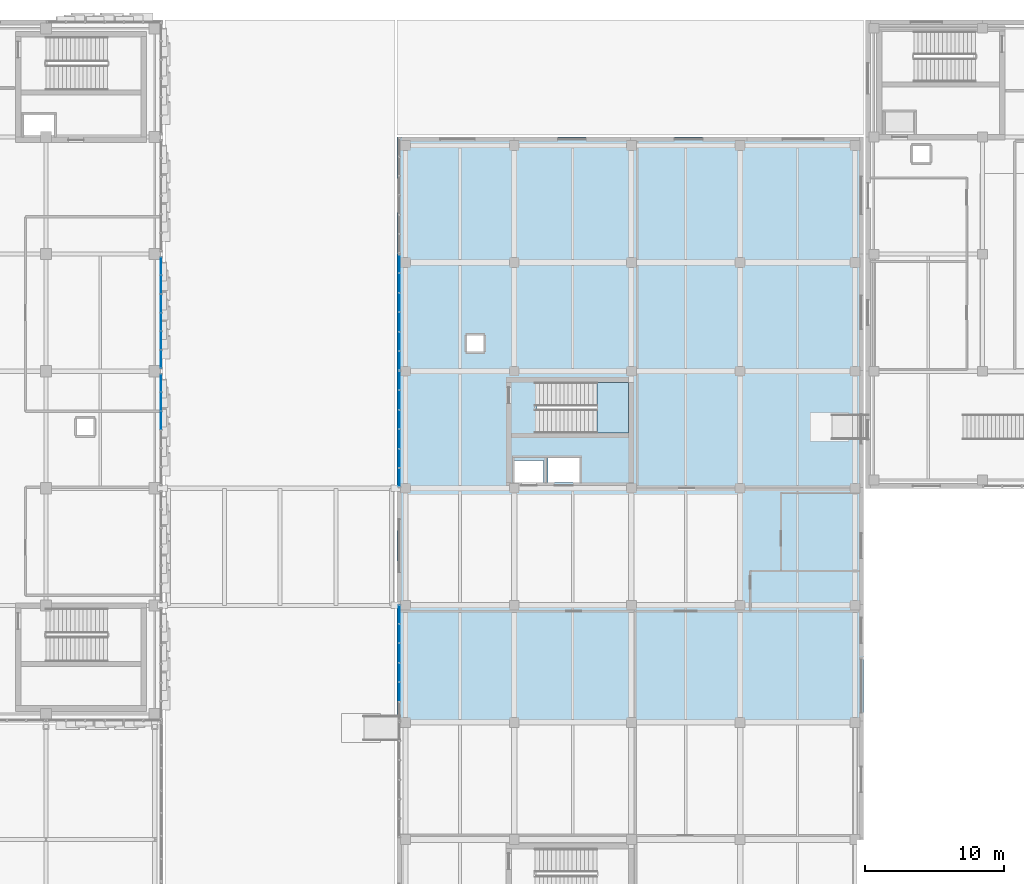
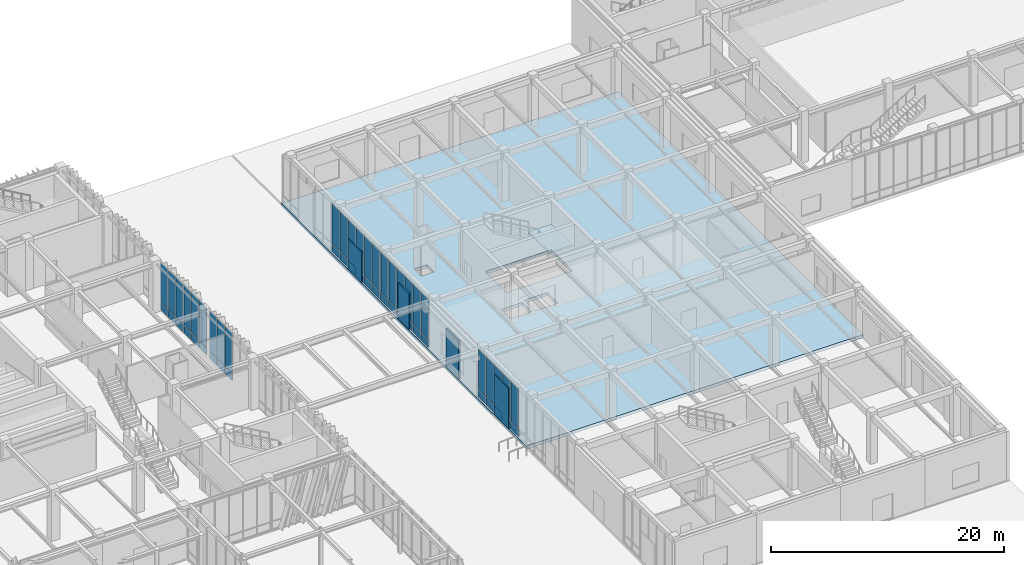
# One storey, part 86 of 122: 56 plates, 2 slabs, 6 elements without a shape of their own.
"""IFC4 building model written with IfcOpenShell, lengths in metres."""

from ifc_helpers import new_model, si_unit, direction, frame, origin, origin_2d, place, context, subcontext, project, spatial, polyline, rectangle, outline, extrude, material, layer, layer_set, type_object, element, aggregate, save


model = new_model("IFC4")

# Units and contexts
model_context = context("Model", 3, precision=1e-05, world=origin(), true_north=direction((0.0, 1.0)))
body_context = subcontext(model_context, "Body", "Model", "MODEL_VIEW")
ifc_project = project(units=[si_unit("LENGTHUNIT", "METRE"), si_unit("AREAUNIT", "SQUARE_METRE"), si_unit("VOLUMEUNIT", "CUBIC_METRE"), si_unit("PLANEANGLEUNIT", "RADIAN"), si_unit("MASSUNIT", "GRAM", prefix="KILO")], contexts=[model_context])

# Site, building, storey
site_placement = place(None, origin())
site = spatial("IfcSite", under=ifc_project, at=site_placement, CompositionType="ELEMENT")
building_placement = place(site_placement, origin())
building = spatial("IfcBuilding", under=site, at=building_placement, Name="Zayran Congress Hotel", CompositionType="ELEMENT")
storey_placement = place(building_placement, origin())
storey = spatial("IfcBuildingStorey", under=building, at=storey_placement, Name="L00", CompositionType="ELEMENT", Elevation=0.0)

# Slab
ifc_material_1 = material(Name="Concrete C32/40", Category="concrete")
ifc_layer_1 = layer(ifc_material_1, 0.320068359375)
ifc_layer_set_1 = layer_set([ifc_layer_1], Name="Concrete C32/40")
slab_type_1 = type_object("IfcSlabType", Name="SL-PD-320", PredefinedType="FLOOR", material=ifc_layer_set_1)
slab_1_placement = place(storey_placement, frame((0.0, 0.0, -0.320068359375)))
element("IfcSlab", 1, at=slab_1_placement, inside=storey, type_object=slab_type_1, Name="SLB-V4-L00-018", PredefinedType="FLOOR", context=body_context, shape_type="SweptSolid", body=[
    extrude(outline(polyline([(109.199951171875, 67.60009765625), (142.64990234375, 67.60009765625), (142.64990234375, 109.60009765625), (109.199951171875, 109.60009765625), (109.199951171875, 67.60009765625)]), holes=[polyline([(119.239990234375, 88.360107421875), (125.800048828125, 88.360107421875), (125.800048828125, 92.0), (119.239990234375, 92.0), (119.239990234375, 88.360107421875)]), polyline([(117.60009765625, 84.800048828125), (119.699951171875, 84.800048828125), (119.699951171875, 86.39990234375), (117.60009765625, 86.39990234375), (117.60009765625, 84.800048828125)]), polyline([(120.0, 84.800048828125), (122.300048828125, 84.800048828125), (122.300048828125, 86.60009765625), (120.0, 86.60009765625), (120.0, 84.800048828125)]), polyline([(114.199951171875, 94.199951171875), (115.419921875, 94.199951171875), (115.419921875, 95.3798828125), (114.199951171875, 95.3798828125), (114.199951171875, 94.199951171875)])]), origin(), (0.0, 0.0, 1.0), 0.320068359375),
])

# Plates
ifc_material_2 = material(Name="Ajlun reconstituted limestone claustra", Category="masonry")
ifc_layer_2 = layer(ifc_material_2, 0.139892578125)
ifc_layer_set_2 = layer_set([ifc_layer_2], Name="Ajlun reconstituted limestone claustra")
plate_type_1 = type_object("IfcPlateType", Name="TP-CLS-13", PredefinedType="USERDEFINED", material=ifc_layer_set_2)
plate_1_placement = place(storey_placement, frame((109.280029296875, 71.885009765625, 0.0), z_axis=(0.0, 0.0, 1.0), x_axis=(0.0, 1.0, 0.0)))
element("IfcPlate", 2, at=plate_1_placement, inside=storey, type_object=plate_type_1, Name="Pierced Claustra Screen 12", ObjectType="CLAUSTRA SCREEN", PredefinedType="USERDEFINED", context=body_context, shape_type="SweptSolid", body=[
    extrude(rectangle(XDim=2.5, YDim=0.139892578125, at=origin_2d()), origin(), (0.0, 0.0, 1.0), 4.199951171875),
])
ifc_layer_3 = layer(ifc_material_2, 0.139892578125)
ifc_layer_set_3 = layer_set([ifc_layer_3], Name="Ajlun reconstituted limestone claustra")
plate_type_2 = type_object("IfcPlateType", Name="TP-CLS-14", PredefinedType="USERDEFINED", material=ifc_layer_set_3)
plate_2_placement = place(storey_placement, frame((109.280029296875, 80.26611328125, 0.0), z_axis=(0.0, 0.0, 1.0), x_axis=(0.0, 1.0, 0.0)))
element("IfcPlate", 3, at=plate_2_placement, inside=storey, type_object=plate_type_2, Name="Pierced Claustra Screen 13", ObjectType="CLAUSTRA SCREEN", PredefinedType="USERDEFINED", context=body_context, shape_type="SweptSolid", body=[
    extrude(rectangle(XDim=2.14990234375, YDim=0.139892578125, at=origin_2d()), origin(), (0.0, 0.0, 1.0), 4.0),
])
ifc_layer_4 = layer(ifc_material_2, 0.1298828125)
ifc_layer_set_4 = layer_set([ifc_layer_4], Name="Ajlun reconstituted limestone claustra")
plate_type_3 = type_object("IfcPlateType", Name="TP-CLS-15", PredefinedType="USERDEFINED", material=ifc_layer_set_4)
plate_3_placement = place(storey_placement, frame((109.280029296875, 88.64697265625, 0.0), z_axis=(0.0, 0.0, 1.0), x_axis=(0.0, 1.0, 0.0)))
element("IfcPlate", 4, at=plate_3_placement, inside=storey, type_object=plate_type_3, Name="Pierced Claustra Screen 14", ObjectType="CLAUSTRA SCREEN", PredefinedType="USERDEFINED", context=body_context, shape_type="SweptSolid", body=[
    extrude(rectangle(XDim=1.85009765625, YDim=0.1298828125, at=origin_2d()), origin(), (0.0, 0.0, 1.0), 3.800048828125),
])
ifc_layer_5 = layer(ifc_material_2, 0.1298828125)
ifc_layer_set_5 = layer_set([ifc_layer_5], Name="Ajlun reconstituted limestone claustra")
plate_type_4 = type_object("IfcPlateType", Name="TP-CLS-16", PredefinedType="USERDEFINED", material=ifc_layer_set_5)
plate_4_placement = place(storey_placement, frame((109.280029296875, 97.028076171875, 0.0), z_axis=(0.0, 0.0, 1.0), x_axis=(0.0, 1.0, 0.0)))
element("IfcPlate", 5, at=plate_4_placement, inside=storey, type_object=plate_type_4, Name="Pierced Claustra Screen 15", ObjectType="CLAUSTRA SCREEN", PredefinedType="USERDEFINED", context=body_context, shape_type="SweptSolid", body=[
    extrude(rectangle(XDim=2.35009765625, YDim=0.1298828125, at=origin_2d()), origin(), (0.0, 0.0, 1.0), 3.199951171875),
])

# Curtain wall, plates
ifc_material_3 = material(Name="Anodised aluminium and low-E insulated glass", Category="aluminium")
ifc_layer_6 = layer(ifc_material_3, 0.179931640625)
ifc_layer_set_6 = layer_set([ifc_layer_6], Name="Anodised aluminium and low-E insulated glass")
curtain_wall_type_1 = type_object("IfcCurtainWallType", Name="CW-V1E-L00-CW-41-8040-5080", PredefinedType="USERDEFINED", material=ifc_layer_set_6)
curtain_wall_1_placement = place(storey_placement, origin())
curtain_wall_1 = element("IfcCurtainWall", 6, at=curtain_wall_1_placement, inside=storey, type_object=curtain_wall_type_1, Name="CW-V1E-L00-2", ObjectType="CURTAIN WALL", PredefinedType="USERDEFINED")
ifc_layer_7 = layer(ifc_material_3, 0.028076171875)
ifc_layer_set_7 = layer_set([ifc_layer_7], Name="Anodised aluminium and low-E insulated glass")
plate_type_5 = type_object("IfcPlateType", Name="CWP-GL-1220-4150", PredefinedType="CURTAIN_PANEL", material=ifc_layer_set_7)
plate_5_placement = place(storey_placement, frame((92.25, 89.27001953125, 0.8701171875), z_axis=(0.0, 0.0, 1.0), x_axis=(0.0, 1.0, 0.0)))
plate_5 = element("IfcPlate", 7, at=plate_5_placement, type_object=plate_type_5, Name="CW-41 Glazed Panel 4", PredefinedType="CURTAIN_PANEL", context=body_context, shape_type="SweptSolid", body=[
    extrude(rectangle(XDim=1.260009765625, YDim=0.028076171875, at=origin_2d()), origin(), (0.0, 0.0, 1.0), 4.14990234375),
])
plate_6_placement = place(storey_placement, frame((92.25, 90.610107421875, 0.8701171875), z_axis=(0.0, 0.0, 1.0), x_axis=(0.0, 1.0, 0.0)))
plate_6 = element("IfcPlate", 8, at=plate_6_placement, type_object=plate_type_5, Name="CW-41 Glazed Panel 5", PredefinedType="CURTAIN_PANEL", context=body_context, shape_type="SweptSolid", body=[
    extrude(rectangle(XDim=1.260009765625, YDim=0.028076171875, at=origin_2d()), origin(), (0.0, 0.0, 1.0), 4.14990234375),
])
plate_7_placement = place(storey_placement, frame((92.25, 91.929931640625, 0.8701171875), z_axis=(0.0, 0.0, 1.0), x_axis=(0.0, 1.0, 0.0)))
plate_7 = element("IfcPlate", 9, at=plate_7_placement, type_object=plate_type_5, Name="CW-41 Glazed Panel 6", PredefinedType="CURTAIN_PANEL", context=body_context, shape_type="SweptSolid", body=[
    extrude(rectangle(XDim=1.219970703125, YDim=0.028076171875, at=origin_2d()), origin(), (0.0, 0.0, 1.0), 4.14990234375),
])

ifc_layer_8 = layer(ifc_material_3, 0.179931640625)
ifc_layer_set_8 = layer_set([ifc_layer_8], Name="Anodised aluminium and low-E insulated glass")
curtain_wall_type_2 = type_object("IfcCurtainWallType", Name="CW-V1E-L00-CW-42-8040-5080", PredefinedType="USERDEFINED", material=ifc_layer_set_8)
curtain_wall_2_placement = place(storey_placement, origin())
curtain_wall_2 = element("IfcCurtainWall", 10, at=curtain_wall_2_placement, inside=storey, type_object=curtain_wall_type_2, Name="CW-V1E-L00-3", ObjectType="CURTAIN WALL", PredefinedType="USERDEFINED")
plate_8_placement = place(storey_placement, frame((92.25, 93.669921875, 0.8701171875), z_axis=(0.0, 0.0, 1.0), x_axis=(0.0, 1.0, 0.0)))
plate_8 = element("IfcPlate", 11, at=plate_8_placement, type_object=plate_type_5, Name="CW-42 Glazed Panel 1", PredefinedType="CURTAIN_PANEL", context=body_context, shape_type="SweptSolid", body=[
    extrude(rectangle(XDim=1.219970703125, YDim=0.028076171875, at=origin_2d()), origin(), (0.0, 0.0, 1.0), 4.14990234375),
])
plate_9_placement = place(storey_placement, frame((92.25, 94.989990234375, 0.8701171875), z_axis=(0.0, 0.0, 1.0), x_axis=(0.0, 1.0, 0.0)))
plate_9 = element("IfcPlate", 12, at=plate_9_placement, type_object=plate_type_5, Name="CW-42 Glazed Panel 2", PredefinedType="CURTAIN_PANEL", context=body_context, shape_type="SweptSolid", body=[
    extrude(rectangle(XDim=1.260009765625, YDim=0.028076171875, at=origin_2d()), origin(), (0.0, 0.0, 1.0), 4.14990234375),
])
plate_10_placement = place(storey_placement, frame((92.25, 96.330078125, 0.8701171875), z_axis=(0.0, 0.0, 1.0), x_axis=(0.0, 1.0, 0.0)))
plate_10 = element("IfcPlate", 13, at=plate_10_placement, type_object=plate_type_5, Name="CW-42 Glazed Panel 3", PredefinedType="CURTAIN_PANEL", context=body_context, shape_type="SweptSolid", body=[
    extrude(rectangle(XDim=1.260009765625, YDim=0.028076171875, at=origin_2d()), origin(), (0.0, 0.0, 1.0), 4.14990234375),
])
plate_11_placement = place(storey_placement, frame((92.25, 97.669921875, 0.8701171875), z_axis=(0.0, 0.0, 1.0), x_axis=(0.0, 1.0, 0.0)))
plate_11 = element("IfcPlate", 14, at=plate_11_placement, type_object=plate_type_5, Name="CW-42 Glazed Panel 4", PredefinedType="CURTAIN_PANEL", context=body_context, shape_type="SweptSolid", body=[
    extrude(rectangle(XDim=1.260009765625, YDim=0.028076171875, at=origin_2d()), origin(), (0.0, 0.0, 1.0), 4.14990234375),
])
plate_12_placement = place(storey_placement, frame((92.25, 99.010009765625, 0.8701171875), z_axis=(0.0, 0.0, 1.0), x_axis=(0.0, 1.0, 0.0)))
plate_12 = element("IfcPlate", 15, at=plate_12_placement, type_object=plate_type_5, Name="CW-42 Glazed Panel 5", PredefinedType="CURTAIN_PANEL", context=body_context, shape_type="SweptSolid", body=[
    extrude(rectangle(XDim=1.260009765625, YDim=0.028076171875, at=origin_2d()), origin(), (0.0, 0.0, 1.0), 4.14990234375),
])
plate_13_placement = place(storey_placement, frame((92.25, 100.330078125, 0.8701171875), z_axis=(0.0, 0.0, 1.0), x_axis=(0.0, 1.0, 0.0)))
plate_13 = element("IfcPlate", 16, at=plate_13_placement, type_object=plate_type_5, Name="CW-42 Glazed Panel 6", PredefinedType="CURTAIN_PANEL", context=body_context, shape_type="SweptSolid", body=[
    extrude(rectangle(XDim=1.219970703125, YDim=0.028076171875, at=origin_2d()), origin(), (0.0, 0.0, 1.0), 4.14990234375),
])

# Plate
ifc_material_4 = material(Name="Insulated warm bronze aluminium spandrel panel", Category="aluminium")
ifc_layer_9 = layer(ifc_material_4, 0.06005859375)
ifc_layer_set_9 = layer_set([ifc_layer_9], Name="Insulated warm bronze aluminium spandrel panel")
plate_type_6 = type_object("IfcPlateType", Name="CWP-SP-1220-750", PredefinedType="CURTAIN_PANEL", material=ifc_layer_set_9)
plate_14_placement = place(storey_placement, frame((92.25, 89.27001953125, 0.06005859375), z_axis=(0.0, 0.0, 1.0), x_axis=(0.0, 1.0, 0.0)))
plate_14 = element("IfcPlate", 17, at=plate_14_placement, type_object=plate_type_6, Name="CW-41 Spandrel Panel 4", PredefinedType="CURTAIN_PANEL", context=body_context, shape_type="SweptSolid", body=[
    extrude(rectangle(XDim=1.260009765625, YDim=0.06005859375, at=origin_2d()), origin(), (0.0, 0.0, 1.0), 0.75),
])

plate_15_placement = place(storey_placement, frame((92.25, 90.610107421875, 0.06005859375), z_axis=(0.0, 0.0, 1.0), x_axis=(0.0, 1.0, 0.0)))
plate_15 = element("IfcPlate", 18, at=plate_15_placement, type_object=plate_type_6, Name="CW-41 Spandrel Panel 5", PredefinedType="CURTAIN_PANEL", context=body_context, shape_type="SweptSolid", body=[
    extrude(rectangle(XDim=1.260009765625, YDim=0.06005859375, at=origin_2d()), origin(), (0.0, 0.0, 1.0), 0.75),
])

plate_16_placement = place(storey_placement, frame((92.25, 91.929931640625, 0.06005859375), z_axis=(0.0, 0.0, 1.0), x_axis=(0.0, 1.0, 0.0)))
plate_16 = element("IfcPlate", 19, at=plate_16_placement, type_object=plate_type_6, Name="CW-41 Spandrel Panel 6", PredefinedType="CURTAIN_PANEL", context=body_context, shape_type="SweptSolid", body=[
    extrude(rectangle(XDim=1.219970703125, YDim=0.06005859375, at=origin_2d()), origin(), (0.0, 0.0, 1.0), 0.75),
])

aggregate(curtain_wall_1, [plate_14, plate_5, plate_15, plate_6, plate_16, plate_7])

plate_17_placement = place(storey_placement, frame((92.25, 93.669921875, 0.06005859375), z_axis=(0.0, 0.0, 1.0), x_axis=(0.0, 1.0, 0.0)))
plate_17 = element("IfcPlate", 20, at=plate_17_placement, type_object=plate_type_6, Name="CW-42 Spandrel Panel 1", PredefinedType="CURTAIN_PANEL", context=body_context, shape_type="SweptSolid", body=[
    extrude(rectangle(XDim=1.219970703125, YDim=0.06005859375, at=origin_2d()), origin(), (0.0, 0.0, 1.0), 0.75),
])

plate_18_placement = place(storey_placement, frame((92.25, 94.989990234375, 0.06005859375), z_axis=(0.0, 0.0, 1.0), x_axis=(0.0, 1.0, 0.0)))
plate_18 = element("IfcPlate", 21, at=plate_18_placement, type_object=plate_type_6, Name="CW-42 Spandrel Panel 2", PredefinedType="CURTAIN_PANEL", context=body_context, shape_type="SweptSolid", body=[
    extrude(rectangle(XDim=1.260009765625, YDim=0.06005859375, at=origin_2d()), origin(), (0.0, 0.0, 1.0), 0.75),
])

plate_19_placement = place(storey_placement, frame((92.25, 96.330078125, 0.06005859375), z_axis=(0.0, 0.0, 1.0), x_axis=(0.0, 1.0, 0.0)))
plate_19 = element("IfcPlate", 22, at=plate_19_placement, type_object=plate_type_6, Name="CW-42 Spandrel Panel 3", PredefinedType="CURTAIN_PANEL", context=body_context, shape_type="SweptSolid", body=[
    extrude(rectangle(XDim=1.260009765625, YDim=0.06005859375, at=origin_2d()), origin(), (0.0, 0.0, 1.0), 0.75),
])

plate_20_placement = place(storey_placement, frame((92.25, 97.669921875, 0.06005859375), z_axis=(0.0, 0.0, 1.0), x_axis=(0.0, 1.0, 0.0)))
plate_20 = element("IfcPlate", 23, at=plate_20_placement, type_object=plate_type_6, Name="CW-42 Spandrel Panel 4", PredefinedType="CURTAIN_PANEL", context=body_context, shape_type="SweptSolid", body=[
    extrude(rectangle(XDim=1.260009765625, YDim=0.06005859375, at=origin_2d()), origin(), (0.0, 0.0, 1.0), 0.75),
])

plate_21_placement = place(storey_placement, frame((92.25, 99.010009765625, 0.06005859375), z_axis=(0.0, 0.0, 1.0), x_axis=(0.0, 1.0, 0.0)))
plate_21 = element("IfcPlate", 24, at=plate_21_placement, type_object=plate_type_6, Name="CW-42 Spandrel Panel 5", PredefinedType="CURTAIN_PANEL", context=body_context, shape_type="SweptSolid", body=[
    extrude(rectangle(XDim=1.260009765625, YDim=0.06005859375, at=origin_2d()), origin(), (0.0, 0.0, 1.0), 0.75),
])

plate_22_placement = place(storey_placement, frame((92.25, 100.330078125, 0.06005859375), z_axis=(0.0, 0.0, 1.0), x_axis=(0.0, 1.0, 0.0)))
plate_22 = element("IfcPlate", 25, at=plate_22_placement, type_object=plate_type_6, Name="CW-42 Spandrel Panel 6", PredefinedType="CURTAIN_PANEL", context=body_context, shape_type="SweptSolid", body=[
    extrude(rectangle(XDim=1.219970703125, YDim=0.06005859375, at=origin_2d()), origin(), (0.0, 0.0, 1.0), 0.75),
])

aggregate(curtain_wall_2, [plate_17, plate_8, plate_18, plate_9, plate_19, plate_10, plate_20, plate_11, plate_21, plate_12, plate_22, plate_13])

# Curtain wall, plates
ifc_layer_10 = layer(ifc_material_3, 0.179931640625)
ifc_layer_set_10 = layer_set([ifc_layer_10], Name="Anodised aluminium and low-E insulated glass")
curtain_wall_type_3 = type_object("IfcCurtainWallType", Name="CW-V4W-L00-CW-51-8376-5100", PredefinedType="USERDEFINED", material=ifc_layer_set_10)
curtain_wall_3_placement = place(storey_placement, origin())
curtain_wall_3 = element("IfcCurtainWall", 26, at=curtain_wall_3_placement, inside=storey, type_object=curtain_wall_type_3, Name="CW-V4W-L00-3", ObjectType="CURTAIN WALL", PredefinedType="USERDEFINED")
ifc_layer_11 = layer(ifc_material_3, 0.028076171875)
ifc_layer_set_11 = layer_set([ifc_layer_11], Name="Anodised aluminium and low-E insulated glass")
plate_type_7 = type_object("IfcPlateType", Name="CWP-GL-1276-4170", PredefinedType="CURTAIN_PANEL", material=ifc_layer_set_11)
plate_23_placement = place(storey_placement, frame((109.35009765625, 75.35693359375, 0.8701171875), z_axis=(0.0, 0.0, 1.0), x_axis=(0.0, 1.0, 0.0)))
plate_23 = element("IfcPlate", 27, at=plate_23_placement, type_object=plate_type_7, Name="CW-51 Glazed Panel 1", PredefinedType="CURTAIN_PANEL", context=body_context, shape_type="SweptSolid", body=[
    extrude(rectangle(XDim=1.27587890625, YDim=0.028076171875, at=origin_2d()), origin(), (0.0, 0.0, 1.0), 4.169921875),
])
plate_24_placement = place(storey_placement, frame((109.35009765625, 73.98095703125, 0.8701171875), z_axis=(0.0, 0.0, 1.0), x_axis=(0.0, 1.0, 0.0)))
plate_24 = element("IfcPlate", 28, at=plate_24_placement, type_object=plate_type_7, Name="CW-51 Glazed Panel 2", PredefinedType="CURTAIN_PANEL", context=body_context, shape_type="SweptSolid", body=[
    extrude(rectangle(XDim=1.31591796875, YDim=0.028076171875, at=origin_2d()), origin(), (0.0, 0.0, 1.0), 4.169921875),
])
plate_25_placement = place(storey_placement, frame((109.35009765625, 72.5849609375, 0.8701171875), z_axis=(0.0, 0.0, 1.0), x_axis=(0.0, 1.0, 0.0)))
plate_25 = element("IfcPlate", 29, at=plate_25_placement, type_object=plate_type_7, Name="CW-51 Glazed Panel 3", PredefinedType="CURTAIN_PANEL", context=body_context, shape_type="SweptSolid", body=[
    extrude(rectangle(XDim=1.31591796875, YDim=0.028076171875, at=origin_2d()), origin(), (0.0, 0.0, 1.0), 4.169921875),
])
plate_26_placement = place(storey_placement, frame((109.35009765625, 71.18896484375, 0.8701171875), z_axis=(0.0, 0.0, 1.0), x_axis=(0.0, 1.0, 0.0)))
plate_26 = element("IfcPlate", 30, at=plate_26_placement, type_object=plate_type_7, Name="CW-51 Glazed Panel 4", PredefinedType="CURTAIN_PANEL", context=body_context, shape_type="SweptSolid", body=[
    extrude(rectangle(XDim=1.31591796875, YDim=0.028076171875, at=origin_2d()), origin(), (0.0, 0.0, 1.0), 4.169921875),
])
plate_27_placement = place(storey_placement, frame((109.35009765625, 69.79296875, 0.8701171875), z_axis=(0.0, 0.0, 1.0), x_axis=(0.0, 1.0, 0.0)))
plate_27 = element("IfcPlate", 31, at=plate_27_placement, type_object=plate_type_7, Name="CW-51 Glazed Panel 5", PredefinedType="CURTAIN_PANEL", context=body_context, shape_type="SweptSolid", body=[
    extrude(rectangle(XDim=1.31591796875, YDim=0.028076171875, at=origin_2d()), origin(), (0.0, 0.0, 1.0), 4.169921875),
])

ifc_layer_12 = layer(ifc_material_3, 0.179931640625)
ifc_layer_set_12 = layer_set([ifc_layer_12], Name="Anodised aluminium and low-E insulated glass")
curtain_wall_type_4 = type_object("IfcCurtainWallType", Name="CW-V4W-L00-CW-53-8376-5100", PredefinedType="USERDEFINED", material=ifc_layer_set_12)
curtain_wall_4_placement = place(storey_placement, origin())
curtain_wall_4 = element("IfcCurtainWall", 32, at=curtain_wall_4_placement, inside=storey, type_object=curtain_wall_type_4, Name="CW-V4W-L00-5", ObjectType="CURTAIN WALL", PredefinedType="USERDEFINED")
plate_28_placement = place(storey_placement, frame((109.35009765625, 92.114013671875, 0.8701171875), z_axis=(0.0, 0.0, 1.0), x_axis=(0.0, 1.0, 0.0)))
plate_28 = element("IfcPlate", 33, at=plate_28_placement, type_object=plate_type_7, Name="CW-53 Glazed Panel 1", PredefinedType="CURTAIN_PANEL", context=body_context, shape_type="SweptSolid", body=[
    extrude(rectangle(XDim=1.27587890625, YDim=0.028076171875, at=origin_2d()), origin(), (0.0, 0.0, 1.0), 4.169921875),
])
plate_29_placement = place(storey_placement, frame((109.35009765625, 90.738037109375, 0.8701171875), z_axis=(0.0, 0.0, 1.0), x_axis=(0.0, 1.0, 0.0)))
plate_29 = element("IfcPlate", 34, at=plate_29_placement, type_object=plate_type_7, Name="CW-53 Glazed Panel 2", PredefinedType="CURTAIN_PANEL", context=body_context, shape_type="SweptSolid", body=[
    extrude(rectangle(XDim=1.31591796875, YDim=0.028076171875, at=origin_2d()), origin(), (0.0, 0.0, 1.0), 4.169921875),
])
plate_30_placement = place(storey_placement, frame((109.35009765625, 89.342041015625, 0.8701171875), z_axis=(0.0, 0.0, 1.0), x_axis=(0.0, 1.0, 0.0)))
plate_30 = element("IfcPlate", 35, at=plate_30_placement, type_object=plate_type_7, Name="CW-53 Glazed Panel 3", PredefinedType="CURTAIN_PANEL", context=body_context, shape_type="SweptSolid", body=[
    extrude(rectangle(XDim=1.31591796875, YDim=0.028076171875, at=origin_2d()), origin(), (0.0, 0.0, 1.0), 4.169921875),
])
plate_31_placement = place(storey_placement, frame((109.35009765625, 87.946044921875, 0.8701171875), z_axis=(0.0, 0.0, 1.0), x_axis=(0.0, 1.0, 0.0)))
plate_31 = element("IfcPlate", 36, at=plate_31_placement, type_object=plate_type_7, Name="CW-53 Glazed Panel 4", PredefinedType="CURTAIN_PANEL", context=body_context, shape_type="SweptSolid", body=[
    extrude(rectangle(XDim=1.31591796875, YDim=0.028076171875, at=origin_2d()), origin(), (0.0, 0.0, 1.0), 4.169921875),
])
plate_32_placement = place(storey_placement, frame((109.35009765625, 86.550048828125, 0.8701171875), z_axis=(0.0, 0.0, 1.0), x_axis=(0.0, 1.0, 0.0)))
plate_32 = element("IfcPlate", 37, at=plate_32_placement, type_object=plate_type_7, Name="CW-53 Glazed Panel 5", PredefinedType="CURTAIN_PANEL", context=body_context, shape_type="SweptSolid", body=[
    extrude(rectangle(XDim=1.31591796875, YDim=0.028076171875, at=origin_2d()), origin(), (0.0, 0.0, 1.0), 4.169921875),
])
plate_33_placement = place(storey_placement, frame((109.35009765625, 85.174072265625, 0.8701171875), z_axis=(0.0, 0.0, 1.0), x_axis=(0.0, 1.0, 0.0)))
plate_33 = element("IfcPlate", 38, at=plate_33_placement, type_object=plate_type_7, Name="CW-53 Glazed Panel 6", PredefinedType="CURTAIN_PANEL", context=body_context, shape_type="SweptSolid", body=[
    extrude(rectangle(XDim=1.27587890625, YDim=0.028076171875, at=origin_2d()), origin(), (0.0, 0.0, 1.0), 4.169921875),
])

# Plate
ifc_layer_13 = layer(ifc_material_4, 0.06005859375)
ifc_layer_set_13 = layer_set([ifc_layer_13], Name="Insulated warm bronze aluminium spandrel panel")
plate_type_8 = type_object("IfcPlateType", Name="CWP-SP-1276-750", PredefinedType="CURTAIN_PANEL", material=ifc_layer_set_13)
plate_34_placement = place(storey_placement, frame((109.35009765625, 75.35693359375, 0.06005859375), z_axis=(0.0, 0.0, 1.0), x_axis=(0.0, 1.0, 0.0)))
plate_34 = element("IfcPlate", 39, at=plate_34_placement, type_object=plate_type_8, Name="CW-51 Spandrel Panel 1", PredefinedType="CURTAIN_PANEL", context=body_context, shape_type="SweptSolid", body=[
    extrude(rectangle(XDim=1.27587890625, YDim=0.06005859375, at=origin_2d()), origin(), (0.0, 0.0, 1.0), 0.75),
])

plate_35_placement = place(storey_placement, frame((109.35009765625, 73.98095703125, 0.06005859375), z_axis=(0.0, 0.0, 1.0), x_axis=(0.0, 1.0, 0.0)))
plate_35 = element("IfcPlate", 40, at=plate_35_placement, type_object=plate_type_8, Name="CW-51 Spandrel Panel 2", PredefinedType="CURTAIN_PANEL", context=body_context, shape_type="SweptSolid", body=[
    extrude(rectangle(XDim=1.31591796875, YDim=0.06005859375, at=origin_2d()), origin(), (0.0, 0.0, 1.0), 0.75),
])

plate_36_placement = place(storey_placement, frame((109.35009765625, 72.5849609375, 0.06005859375), z_axis=(0.0, 0.0, 1.0), x_axis=(0.0, 1.0, 0.0)))
plate_36 = element("IfcPlate", 41, at=plate_36_placement, type_object=plate_type_8, Name="CW-51 Spandrel Panel 3", PredefinedType="CURTAIN_PANEL", context=body_context, shape_type="SweptSolid", body=[
    extrude(rectangle(XDim=1.31591796875, YDim=0.06005859375, at=origin_2d()), origin(), (0.0, 0.0, 1.0), 0.75),
])

plate_37_placement = place(storey_placement, frame((109.35009765625, 71.18896484375, 0.06005859375), z_axis=(0.0, 0.0, 1.0), x_axis=(0.0, 1.0, 0.0)))
plate_37 = element("IfcPlate", 42, at=plate_37_placement, type_object=plate_type_8, Name="CW-51 Spandrel Panel 4", PredefinedType="CURTAIN_PANEL", context=body_context, shape_type="SweptSolid", body=[
    extrude(rectangle(XDim=1.31591796875, YDim=0.06005859375, at=origin_2d()), origin(), (0.0, 0.0, 1.0), 0.75),
])

plate_38_placement = place(storey_placement, frame((109.35009765625, 69.79296875, 0.06005859375), z_axis=(0.0, 0.0, 1.0), x_axis=(0.0, 1.0, 0.0)))
plate_38 = element("IfcPlate", 43, at=plate_38_placement, type_object=plate_type_8, Name="CW-51 Spandrel Panel 5", PredefinedType="CURTAIN_PANEL", context=body_context, shape_type="SweptSolid", body=[
    extrude(rectangle(XDim=1.31591796875, YDim=0.06005859375, at=origin_2d()), origin(), (0.0, 0.0, 1.0), 0.75),
])

aggregate(curtain_wall_3, [plate_34, plate_23, plate_35, plate_24, plate_36, plate_25, plate_37, plate_26, plate_38, plate_27])

plate_39_placement = place(storey_placement, frame((109.35009765625, 92.114013671875, 0.06005859375), z_axis=(0.0, 0.0, 1.0), x_axis=(0.0, 1.0, 0.0)))
plate_39 = element("IfcPlate", 44, at=plate_39_placement, type_object=plate_type_8, Name="CW-53 Spandrel Panel 1", PredefinedType="CURTAIN_PANEL", context=body_context, shape_type="SweptSolid", body=[
    extrude(rectangle(XDim=1.27587890625, YDim=0.06005859375, at=origin_2d()), origin(), (0.0, 0.0, 1.0), 0.75),
])

plate_40_placement = place(storey_placement, frame((109.35009765625, 90.738037109375, 0.06005859375), z_axis=(0.0, 0.0, 1.0), x_axis=(0.0, 1.0, 0.0)))
plate_40 = element("IfcPlate", 45, at=plate_40_placement, type_object=plate_type_8, Name="CW-53 Spandrel Panel 2", PredefinedType="CURTAIN_PANEL", context=body_context, shape_type="SweptSolid", body=[
    extrude(rectangle(XDim=1.31591796875, YDim=0.06005859375, at=origin_2d()), origin(), (0.0, 0.0, 1.0), 0.75),
])

plate_41_placement = place(storey_placement, frame((109.35009765625, 89.342041015625, 0.06005859375), z_axis=(0.0, 0.0, 1.0), x_axis=(0.0, 1.0, 0.0)))
plate_41 = element("IfcPlate", 46, at=plate_41_placement, type_object=plate_type_8, Name="CW-53 Spandrel Panel 3", PredefinedType="CURTAIN_PANEL", context=body_context, shape_type="SweptSolid", body=[
    extrude(rectangle(XDim=1.31591796875, YDim=0.06005859375, at=origin_2d()), origin(), (0.0, 0.0, 1.0), 0.75),
])

plate_42_placement = place(storey_placement, frame((109.35009765625, 87.946044921875, 0.06005859375), z_axis=(0.0, 0.0, 1.0), x_axis=(0.0, 1.0, 0.0)))
plate_42 = element("IfcPlate", 47, at=plate_42_placement, type_object=plate_type_8, Name="CW-53 Spandrel Panel 4", PredefinedType="CURTAIN_PANEL", context=body_context, shape_type="SweptSolid", body=[
    extrude(rectangle(XDim=1.31591796875, YDim=0.06005859375, at=origin_2d()), origin(), (0.0, 0.0, 1.0), 0.75),
])

plate_43_placement = place(storey_placement, frame((109.35009765625, 86.550048828125, 0.06005859375), z_axis=(0.0, 0.0, 1.0), x_axis=(0.0, 1.0, 0.0)))
plate_43 = element("IfcPlate", 48, at=plate_43_placement, type_object=plate_type_8, Name="CW-53 Spandrel Panel 5", PredefinedType="CURTAIN_PANEL", context=body_context, shape_type="SweptSolid", body=[
    extrude(rectangle(XDim=1.31591796875, YDim=0.06005859375, at=origin_2d()), origin(), (0.0, 0.0, 1.0), 0.75),
])

plate_44_placement = place(storey_placement, frame((109.35009765625, 85.174072265625, 0.06005859375), z_axis=(0.0, 0.0, 1.0), x_axis=(0.0, 1.0, 0.0)))
plate_44 = element("IfcPlate", 49, at=plate_44_placement, type_object=plate_type_8, Name="CW-53 Spandrel Panel 6", PredefinedType="CURTAIN_PANEL", context=body_context, shape_type="SweptSolid", body=[
    extrude(rectangle(XDim=1.27587890625, YDim=0.06005859375, at=origin_2d()), origin(), (0.0, 0.0, 1.0), 0.75),
])

aggregate(curtain_wall_4, [plate_39, plate_28, plate_40, plate_29, plate_41, plate_30, plate_42, plate_31, plate_43, plate_32, plate_44, plate_33])

# Curtain wall, plates
ifc_layer_14 = layer(ifc_material_3, 0.179931640625)
ifc_layer_set_14 = layer_set([ifc_layer_14], Name="Anodised aluminium and low-E insulated glass")
curtain_wall_type_5 = type_object("IfcCurtainWallType", Name="CW-V4W-L00-CW-51-8372-5100", PredefinedType="USERDEFINED", material=ifc_layer_set_14)
curtain_wall_5_placement = place(storey_placement, origin())
curtain_wall_5 = element("IfcCurtainWall", 50, at=curtain_wall_5_placement, inside=storey, type_object=curtain_wall_type_5, Name="CW-V4W-L00-6", ObjectType="CURTAIN WALL", PredefinedType="USERDEFINED")
ifc_layer_15 = layer(ifc_material_3, 0.028076171875)
ifc_layer_set_15 = layer_set([ifc_layer_15], Name="Anodised aluminium and low-E insulated glass")
plate_type_9 = type_object("IfcPlateType", Name="CWP-GL-1275-4170", PredefinedType="CURTAIN_PANEL", material=ifc_layer_set_15)
plate_45_placement = place(storey_placement, frame((109.35009765625, 100.496337890625, 0.8701171875), z_axis=(0.0, 0.0, 1.0), x_axis=(0.0, 1.0, 0.0)))
plate_45 = element("IfcPlate", 51, at=plate_45_placement, type_object=plate_type_9, Name="CW-51 Glazed Panel 1", PredefinedType="CURTAIN_PANEL", context=body_context, shape_type="SweptSolid", body=[
    extrude(rectangle(XDim=1.275390625, YDim=0.028076171875, at=origin_2d()), origin(), (0.0, 0.0, 1.0), 4.169921875),
])
plate_46_placement = place(storey_placement, frame((109.35009765625, 99.12109375, 0.8701171875), z_axis=(0.0, 0.0, 1.0), x_axis=(0.0, 1.0, 0.0)))
plate_46 = element("IfcPlate", 52, at=plate_46_placement, type_object=plate_type_9, Name="CW-51 Glazed Panel 2", PredefinedType="CURTAIN_PANEL", context=body_context, shape_type="SweptSolid", body=[
    extrude(rectangle(XDim=1.315185546875, YDim=0.028076171875, at=origin_2d()), origin(), (0.0, 0.0, 1.0), 4.169921875),
])
plate_47_placement = place(storey_placement, frame((109.35009765625, 97.7255859375, 0.8701171875), z_axis=(0.0, 0.0, 1.0), x_axis=(0.0, 1.0, 0.0)))
plate_47 = element("IfcPlate", 53, at=plate_47_placement, type_object=plate_type_9, Name="CW-51 Glazed Panel 3", PredefinedType="CURTAIN_PANEL", context=body_context, shape_type="SweptSolid", body=[
    extrude(rectangle(XDim=1.315185546875, YDim=0.028076171875, at=origin_2d()), origin(), (0.0, 0.0, 1.0), 4.169921875),
])
plate_48_placement = place(storey_placement, frame((109.35009765625, 96.330322265625, 0.8701171875), z_axis=(0.0, 0.0, 1.0), x_axis=(0.0, 1.0, 0.0)))
plate_48 = element("IfcPlate", 54, at=plate_48_placement, type_object=plate_type_9, Name="CW-51 Glazed Panel 4", PredefinedType="CURTAIN_PANEL", context=body_context, shape_type="SweptSolid", body=[
    extrude(rectangle(XDim=1.315185546875, YDim=0.028076171875, at=origin_2d()), origin(), (0.0, 0.0, 1.0), 4.169921875),
])
plate_49_placement = place(storey_placement, frame((109.35009765625, 94.93505859375, 0.8701171875), z_axis=(0.0, 0.0, 1.0), x_axis=(0.0, 1.0, 0.0)))
plate_49 = element("IfcPlate", 55, at=plate_49_placement, type_object=plate_type_9, Name="CW-51 Glazed Panel 5", PredefinedType="CURTAIN_PANEL", context=body_context, shape_type="SweptSolid", body=[
    extrude(rectangle(XDim=1.315185546875, YDim=0.028076171875, at=origin_2d()), origin(), (0.0, 0.0, 1.0), 4.169921875),
])
plate_50_placement = place(storey_placement, frame((109.35009765625, 93.559814453125, 0.8701171875), z_axis=(0.0, 0.0, 1.0), x_axis=(0.0, 1.0, 0.0)))
plate_50 = element("IfcPlate", 56, at=plate_50_placement, type_object=plate_type_9, Name="CW-51 Glazed Panel 6", PredefinedType="CURTAIN_PANEL", context=body_context, shape_type="SweptSolid", body=[
    extrude(rectangle(XDim=1.275390625, YDim=0.028076171875, at=origin_2d()), origin(), (0.0, 0.0, 1.0), 4.169921875),
])
ifc_layer_16 = layer(ifc_material_4, 0.06005859375)
ifc_layer_set_16 = layer_set([ifc_layer_16], Name="Insulated warm bronze aluminium spandrel panel")
plate_type_10 = type_object("IfcPlateType", Name="CWP-SP-1275-750", PredefinedType="CURTAIN_PANEL", material=ifc_layer_set_16)
plate_51_placement = place(storey_placement, frame((109.35009765625, 100.496337890625, 0.06005859375), z_axis=(0.0, 0.0, 1.0), x_axis=(0.0, 1.0, 0.0)))
plate_51 = element("IfcPlate", 57, at=plate_51_placement, type_object=plate_type_10, Name="CW-51 Spandrel Panel 1", PredefinedType="CURTAIN_PANEL", context=body_context, shape_type="SweptSolid", body=[
    extrude(rectangle(XDim=1.275390625, YDim=0.06005859375, at=origin_2d()), origin(), (0.0, 0.0, 1.0), 0.75),
])
plate_52_placement = place(storey_placement, frame((109.35009765625, 99.12109375, 0.06005859375), z_axis=(0.0, 0.0, 1.0), x_axis=(0.0, 1.0, 0.0)))
plate_52 = element("IfcPlate", 58, at=plate_52_placement, type_object=plate_type_10, Name="CW-51 Spandrel Panel 2", PredefinedType="CURTAIN_PANEL", context=body_context, shape_type="SweptSolid", body=[
    extrude(rectangle(XDim=1.315185546875, YDim=0.06005859375, at=origin_2d()), origin(), (0.0, 0.0, 1.0), 0.75),
])
plate_53_placement = place(storey_placement, frame((109.35009765625, 97.7255859375, 0.06005859375), z_axis=(0.0, 0.0, 1.0), x_axis=(0.0, 1.0, 0.0)))
plate_53 = element("IfcPlate", 59, at=plate_53_placement, type_object=plate_type_10, Name="CW-51 Spandrel Panel 3", PredefinedType="CURTAIN_PANEL", context=body_context, shape_type="SweptSolid", body=[
    extrude(rectangle(XDim=1.315185546875, YDim=0.06005859375, at=origin_2d()), origin(), (0.0, 0.0, 1.0), 0.75),
])
plate_54_placement = place(storey_placement, frame((109.35009765625, 96.330322265625, 0.06005859375), z_axis=(0.0, 0.0, 1.0), x_axis=(0.0, 1.0, 0.0)))
plate_54 = element("IfcPlate", 60, at=plate_54_placement, type_object=plate_type_10, Name="CW-51 Spandrel Panel 4", PredefinedType="CURTAIN_PANEL", context=body_context, shape_type="SweptSolid", body=[
    extrude(rectangle(XDim=1.315185546875, YDim=0.06005859375, at=origin_2d()), origin(), (0.0, 0.0, 1.0), 0.75),
])
plate_55_placement = place(storey_placement, frame((109.35009765625, 94.93505859375, 0.06005859375), z_axis=(0.0, 0.0, 1.0), x_axis=(0.0, 1.0, 0.0)))
plate_55 = element("IfcPlate", 61, at=plate_55_placement, type_object=plate_type_10, Name="CW-51 Spandrel Panel 5", PredefinedType="CURTAIN_PANEL", context=body_context, shape_type="SweptSolid", body=[
    extrude(rectangle(XDim=1.315185546875, YDim=0.06005859375, at=origin_2d()), origin(), (0.0, 0.0, 1.0), 0.75),
])
plate_56_placement = place(storey_placement, frame((109.35009765625, 93.559814453125, 0.06005859375), z_axis=(0.0, 0.0, 1.0), x_axis=(0.0, 1.0, 0.0)))
plate_56 = element("IfcPlate", 62, at=plate_56_placement, type_object=plate_type_10, Name="CW-51 Spandrel Panel 6", PredefinedType="CURTAIN_PANEL", context=body_context, shape_type="SweptSolid", body=[
    extrude(rectangle(XDim=1.275390625, YDim=0.06005859375, at=origin_2d()), origin(), (0.0, 0.0, 1.0), 0.75),
])
aggregate(curtain_wall_5, [plate_51, plate_45, plate_52, plate_46, plate_53, plate_47, plate_54, plate_48, plate_55, plate_49, plate_56, plate_50])

# Stair, slab
stair_type = type_object("IfcStairType", Name="TP-STR-1700-54", PredefinedType="USERDEFINED", material=ifc_material_1)
stair_placement = place(storey_placement, origin())
stair = element("IfcStair", 63, at=stair_placement, inside=storey, type_object=stair_type, Name="L00 ST-07", ObjectType="TWO_RETURN_STAIR", PredefinedType="USERDEFINED")
ifc_layer_17 = layer(ifc_material_1, 0.199951171875)
ifc_layer_set_17 = layer_set([ifc_layer_17], Name="Concrete C32/40")
slab_type_2 = type_object("IfcSlabType", Name="TP-LND-1700", PredefinedType="LANDING", material=ifc_layer_set_17)
slab_2_placement = place(storey_placement, frame((0.0, 0.0, 2.5)))
slab_2 = element("IfcSlab", 64, at=slab_2_placement, type_object=slab_type_2, Name="ST-07 landing 1", PredefinedType="LANDING", context=body_context, shape_type="SweptSolid", body=[
    extrude(outline(polyline([(123.52490234375, 88.360107421875), (125.800048828125, 88.360107421875), (125.800048828125, 92.0), (123.52490234375, 92.0), (123.52490234375, 88.360107421875)])), origin(), (0.0, 0.0, 1.0), 0.199951171875),
])
aggregate(stair, [slab_2])

save(model, "model.ifc")
